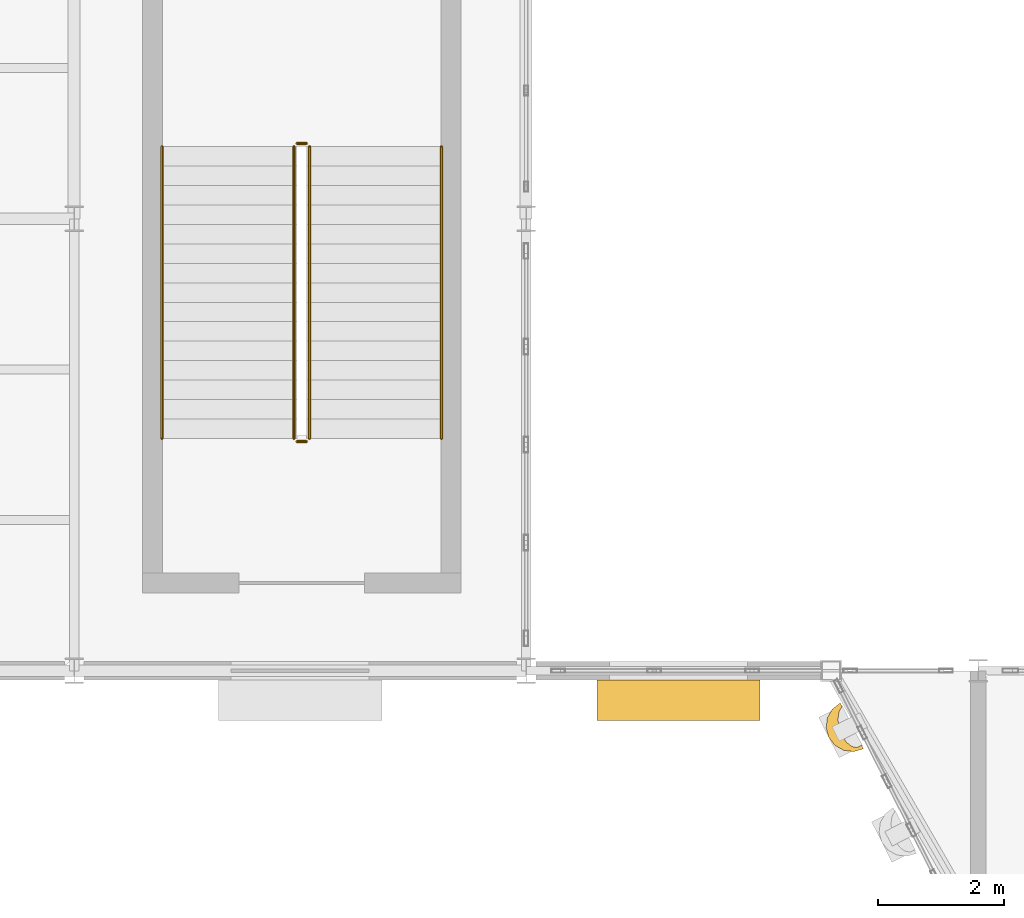
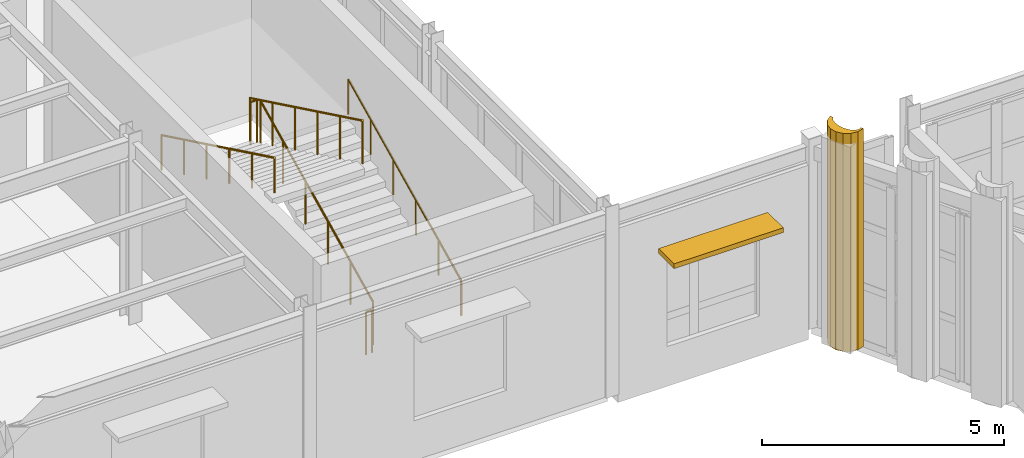
# One storey, part 116 of 126: 6 railings, 1 covering, 1 shading device.
"""IFC4 building model written with IfcOpenShell, lengths in metres."""

import ifcopenshell
import ifcopenshell.guid

model = None  # the IFC model being written
_history = None  # IfcOwnerHistory: only IFC2X3 demands one
_inside = {}  # id of a spatial element -> (the spatial element, [elements in it])
_under = {}  # id of a project, library or spatial element -> (it, [spatial elements below it])
_declared = {}  # id of a project -> (the project, [libraries it declares])
_typed = {}  # id of a type object -> (the type object, [elements of that type])
_made_of = {}  # id of a material, layer set ... -> (it, [elements and type objects made of it])


def new_model(schema):
    """Start an empty IFC model of exactly this schema.

    Asked for "IFC4X3", IfcOpenShell would pick the latest addendum, in which some entities
    have other attributes; the version numbers below select the first issue.
    IFC2X3 requires an IfcOwnerHistory on every rooted entity: one is made here for all.
    """
    global model, _history
    if schema == "IFC4X3":
        model = ifcopenshell.file(schema_version=(4, 3, 0, 0))
    else:
        model = ifcopenshell.file(schema=schema)
    _inside.clear()
    _under.clear()
    _declared.clear()
    _typed.clear()
    _made_of.clear()
    _history = None
    if model.schema == "IFC2X3":
        org = make("IfcOrganization", Name="unknown")
        user = make(
            "IfcPersonAndOrganization",
            ThePerson=make("IfcPerson", FamilyName="unknown"),
            TheOrganization=org,
        )
        app = make(
            "IfcApplication",
            ApplicationDeveloper=org,
            Version="unknown",
            ApplicationFullName="unknown",
            ApplicationIdentifier="unknown",
        )
        _history = make(
            "IfcOwnerHistory",
            OwningUser=user,
            OwningApplication=app,
            ChangeAction="ADDED",
            CreationDate=0,
        )
    return model


def make(cls, **values):
    """One entity of the class cls with the attributes given. An attribute that is None is left unset."""
    return model.create_entity(
        cls, **{name: value for name, value in values.items() if value is not None}
    )


def rooted(cls, **values):
    """An entity with a GlobalId (a new one), such as an element, a storey or a relation."""
    return make(cls, GlobalId=ifcopenshell.guid.new(), OwnerHistory=_history, **values)


def si_unit(unit_type, name, prefix=None):
    """IfcSIUnit, for example si_unit("LENGTHUNIT", "METRE", prefix="MILLI")."""
    return make("IfcSIUnit", UnitType=unit_type, Prefix=prefix, Name=name)


def assignment(units):
    """IfcUnitAssignment: the units of a project."""
    return None if units is None else make("IfcUnitAssignment", Units=units)


def point(xyz):
    """IfcCartesianPoint."""
    return None if xyz is None else make("IfcCartesianPoint", Coordinates=xyz)


def direction(xyz):
    """IfcDirection."""
    return None if xyz is None else make("IfcDirection", DirectionRatios=xyz)


def frame(location, z_axis=None, x_axis=None):
    """IfcAxis2Placement3D, a coordinate frame: its origin and axes. An axis left out is left unset."""
    return make(
        "IfcAxis2Placement3D",
        Location=point(location),
        Axis=direction(z_axis),
        RefDirection=direction(x_axis),
    )


def frame_2d(location, x_axis=None):
    """IfcAxis2Placement2D, a coordinate frame in the plane: its origin and x axis."""
    return make(
        "IfcAxis2Placement2D", Location=point(location), RefDirection=direction(x_axis)
    )


def origin():
    """The frame at (0, 0, 0) with its axes left unset."""
    return frame((0.0, 0.0, 0.0))


def origin_2d():
    """The frame at (0, 0) in the plane with its x axis left unset."""
    return frame_2d((0.0, 0.0))


def place(relative_to, where):
    """IfcLocalPlacement: puts the frame where relative to a parent placement (None: the world)."""
    return make(
        "IfcLocalPlacement", PlacementRelTo=relative_to, RelativePlacement=where
    )


def context(
    kind, dimensions, precision=None, world=None, true_north=None, identifier=None
):
    """IfcGeometricRepresentationContext, for example the 3D "Model" context."""
    return make(
        "IfcGeometricRepresentationContext",
        ContextIdentifier=identifier,
        ContextType=kind,
        CoordinateSpaceDimension=dimensions,
        Precision=precision,
        WorldCoordinateSystem=world,
        TrueNorth=true_north,
    )


def subcontext(parent, identifier, kind, view, scale=None):
    """IfcGeometricRepresentationSubContext, for example "Body" below "Model"."""
    return make(
        "IfcGeometricRepresentationSubContext",
        ContextIdentifier=identifier,
        ContextType=kind,
        ParentContext=parent,
        TargetScale=scale,
        TargetView=view,
    )


def project(units=None, contexts=None):
    """IfcProject with its units and contexts."""
    return rooted(
        "IfcProject",
        Name="project",
        RepresentationContexts=contexts,
        UnitsInContext=assignment(units),
    )


def spatial(cls, under=None, at=None, **own):
    """A site, building, storey or space (cls), placed at a placement, below another one or the project."""
    s = rooted(cls, ObjectPlacement=at, **own)
    if under is not None:
        _under.setdefault(under.id(), (under, []))[1].append(s)
    return s


def polyline(points):
    """IfcPolyline through the points."""
    return make("IfcPolyline", Points=[point(p) for p in points])


def profile(cls, at=None, kind="AREA", **sizes):
    """A parametric profile (cls). Its sizes go by their IFC names, for example OverallWidth=200.0."""
    return make(cls, ProfileType=kind, Position=at, **sizes)


def rectangle(**sizes):
    """IfcRectangleProfileDef."""
    return profile("IfcRectangleProfileDef", **sizes)


def circle(**sizes):
    """IfcCircleProfileDef."""
    return profile("IfcCircleProfileDef", **sizes)


def outline(outer, holes=None, kind="AREA"):
    """IfcArbitraryClosedProfileDef: a profile drawn as a closed curve; with holes, ...WithVoids."""
    if holes is None:
        return make("IfcArbitraryClosedProfileDef", ProfileType=kind, OuterCurve=outer)
    return make(
        "IfcArbitraryProfileDefWithVoids",
        ProfileType=kind,
        OuterCurve=outer,
        InnerCurves=holes,
    )


def extrude(swept, where, along, depth):
    """IfcExtrudedAreaSolid: the profile swept, set in the frame where, extruded along a direction by depth."""
    return make(
        "IfcExtrudedAreaSolid",
        SweptArea=swept,
        Position=where,
        ExtrudedDirection=direction(along),
        Depth=depth,
    )


def shape(context_of_items, identifier, shape_type, items):
    """IfcShapeRepresentation: the items that make up one representation, for example the "Body"."""
    return make(
        "IfcShapeRepresentation",
        ContextOfItems=context_of_items,
        RepresentationIdentifier=identifier,
        RepresentationType=shape_type,
        Items=items,
    )


def material(Name=None, Category=None):
    """IfcMaterial."""
    return make("IfcMaterial", Name=Name, Category=Category)


def layer(
    of_material, thickness, ventilated=None, Name=None, Category=None, Priority=None
):
    """IfcMaterialLayer: one layer of a wall or slab, of a material (None: an air gap)."""
    return make(
        "IfcMaterialLayer",
        Material=of_material,
        LayerThickness=thickness,
        IsVentilated=ventilated,
        Name=Name,
        Category=Category,
        Priority=Priority,
    )


def layer_set(layers, Name=None):
    """IfcMaterialLayerSet."""
    return make("IfcMaterialLayerSet", MaterialLayers=layers, LayerSetName=Name)


def made_of(thing, what):
    """Note that an element or type object is made of a material, layer set ...; save() writes the relation."""
    if what is not None:
        _made_of.setdefault(what.id(), (what, []))[1].append(thing)
    return thing


def type_object(cls, material=None, **own):
    """A type object (cls), such as IfcWallType, which elements share."""
    return made_of(rooted(cls, **own), material)


def element(
    cls,
    number,
    at=None,
    inside=None,
    cuts=None,
    type_object=None,
    material=None,
    context=None,
    identifier="Body",
    shape_type=None,
    held_by="IfcProductDefinitionShape",
    body=None,
    shapes=None,
    **own,
):
    """One element of the class cls, such as IfcWall. Its Tag is "e" and its number.

    at: its placement. inside: the storey or other place that contains it. cuts: it is an
    opening in that element (IfcRelVoidsElement). A single representation is given by context,
    identifier, shape_type and body (its items); several are given by shapes. held_by: the class
    of the entity that holds the representations. save() writes the other relations.
    """
    e = rooted(cls, Tag="e%d" % number, ObjectPlacement=at, **own)
    if body is not None:
        shapes = [shape(context, identifier, shape_type, body)]
    if shapes is not None:
        e.Representation = make(held_by, Representations=shapes)
    if inside is not None:
        _inside.setdefault(inside.id(), (inside, []))[1].append(e)
    if cuts is not None:
        rooted(
            "IfcRelVoidsElement", RelatingBuildingElement=cuts, RelatedOpeningElement=e
        )
    if type_object is not None:
        _typed.setdefault(type_object.id(), (type_object, []))[1].append(e)
    return made_of(e, material)


def aggregate(whole, parts):
    """IfcRelAggregates: a whole, such as a stair, and the parts it consists of."""
    return rooted("IfcRelAggregates", RelatingObject=whole, RelatedObjects=parts)


def save(model, path):
    """Write the relations noted so far, then the file.

    IfcRelAggregates (storeys below a building ...), IfcRelContainedInSpatialStructure (elements
    in a storey), IfcRelDefinesByType, IfcRelAssociatesMaterial and IfcRelDeclares: one each for
    every whole, place, type object, material and project.
    """
    for whole, parts in _under.values():
        aggregate(whole, parts)
    for where, things in _inside.values():
        rooted(
            "IfcRelContainedInSpatialStructure",
            RelatedElements=things,
            RelatingStructure=where,
        )
    for kind, things in _typed.values():
        rooted("IfcRelDefinesByType", RelatedObjects=things, RelatingType=kind)
    for what, things in _made_of.values():
        rooted("IfcRelAssociatesMaterial", RelatedObjects=things, RelatingMaterial=what)
    for by, libraries in _declared.values():
        rooted("IfcRelDeclares", RelatingContext=by, RelatedDefinitions=libraries)
    model.write(path)


model = new_model("IFC4")

# Units and contexts
model_context = context("Model", 3, precision=1e-05, world=origin(), true_north=direction((0.0, 1.0)))
body_context = subcontext(model_context, "Body", "Model", "MODEL_VIEW")
ifc_project = project(units=[si_unit("LENGTHUNIT", "METRE"), si_unit("AREAUNIT", "SQUARE_METRE"), si_unit("VOLUMEUNIT", "CUBIC_METRE"), si_unit("PLANEANGLEUNIT", "RADIAN"), si_unit("MASSUNIT", "GRAM", prefix="KILO")], contexts=[model_context])

# Site, building, storey
site_placement = place(None, origin())
site = spatial("IfcSite", under=ifc_project, at=site_placement, CompositionType="ELEMENT")
building_placement = place(site_placement, origin())
building = spatial("IfcBuilding", under=site, at=building_placement, Name="Solvadek Multi-Sports Hall", CompositionType="ELEMENT")
storey_placement = place(building_placement, frame((0.0, 0.0, 9.60009765625)))
storey = spatial("IfcBuildingStorey", under=building, at=storey_placement, Name="L02", CompositionType="ELEMENT", Elevation=9.60009765625)

# Covering
ifc_material_1 = material(Name="Perforated champagne-bronze anodised aluminium", Category="aluminium")
ifc_layer = layer(ifc_material_1, 0.06494140625, Name="Perforated champagne-bronze anodised aluminium")
ifc_layer_set = layer_set([ifc_layer], Name="Perforated champagne-bronze anodised aluminium")
covering_type = type_object("IfcCoveringType", Name="ENV-COV-FLUTED", PredefinedType="CLADDING", material=ifc_layer_set)
covering_placement = place(storey_placement, frame((0.0, 0.0, 0.010009765625)))
element("IfcCovering", 1, at=covering_placement, inside=storey, type_object=covering_type, Name="L02 Perforated Bronze Half-Cylinder Fluted Shell #3", PredefinedType="CLADDING", context=body_context, shape_type="SweptSolid", body=[
    extrude(outline(polyline([(26.97216796875, 19.155517578125), (26.818115234375, 19.112548828125), (26.6591796875, 19.1318359375), (26.52001953125, 19.21044921875), (26.42138671875, 19.336181640625), (26.37841796875, 19.490478515625), (26.3974609375, 19.649169921875), (26.47607421875, 19.78857421875), (26.60205078125, 19.88720703125), (26.63134765625, 19.829345703125), (26.58349609375, 19.74609375), (26.56689453125, 19.62890625), (26.58349609375, 19.495361328125), (26.63134765625, 19.36572265625), (26.702880859375, 19.259765625), (26.787109375, 19.193603515625), (26.871337890625, 19.177490234375), (26.94287109375, 19.213623046875), (26.97216796875, 19.155517578125)])), origin(), (0.0, 0.0, 1.0), 5.489990234375),
])

# Shading device
shading_device_type = type_object("IfcShadingDeviceType", Name="ENV-SHD-CHAJJA1", PredefinedType="JALOUSIE", material=ifc_material_1)
shading_device_placement = place(storey_placement, frame((24.02734375, 19.930419921875, 3.179931640625), z_axis=(0.0, 0.0, 1.0), x_axis=(1.0, 0.0, 0.0)))
element("IfcShadingDevice", 2, at=shading_device_placement, inside=storey, type_object=shading_device_type, Name="L02 Chajja Solar Shading Hood #55", PredefinedType="JALOUSIE", context=body_context, shape_type="SweptSolid", body=[
    extrude(rectangle(XDim=2.60009765625, YDim=0.639892578125, at=origin_2d()), origin(), (0.0, 0.0, 1.0), 0.1201171875),
])

# Railings
ifc_material_2 = material(Name="Steel E250 (250 MPa)", Category="steel")
railing_type_1 = type_object("IfcRailingType", Name="INT-RAL-GRD115", PredefinedType="BALUSTRADE", material=ifc_material_2)
railing_1_placement = place(storey_placement, frame((18.14990234375, 24.10009765625, 0.14990234375)))
element("IfcRailing", 3, at=railing_1_placement, inside=storey, type_object=railing_type_1, Name="L02 ST-01 stair guard 1", PredefinedType="BALUSTRADE", context=body_context, shape_type="SweptSolid", body=[
    extrude(circle(Radius=0.02392578125, at=origin_2d()), frame((0.0, 0.0, 1.076171875), z_axis=(0.0, 0.900155664878, 0.435568340204), x_axis=(-1.0, 0.0, 0.0)), (0.0, 0.0, 1.0), 5.165771484375),
    extrude(circle(Radius=0.02099609375, at=origin_2d()), origin(), (0.0, 0.0, 1.0), 1.052001953125),
    extrude(circle(Radius=0.02099609375, at=origin_2d()), frame((0.0, 0.929931640625, 0.449951171875)), (0.0, 0.0, 1.0), 1.052001953125),
    extrude(circle(Radius=0.02099609375, at=origin_2d()), frame((0.0, 1.85986328125, 0.89990234375)), (0.0, 0.0, 1.0), 1.052001953125),
    extrude(circle(Radius=0.02099609375, at=origin_2d()), frame((0.0, 2.7900390625, 1.35009765625)), (0.0, 0.0, 1.0), 1.052001953125),
    extrude(circle(Radius=0.02099609375, at=origin_2d()), frame((0.0, 3.719970703125, 1.800048828125)), (0.0, 0.0, 1.0), 1.052001953125),
    extrude(circle(Radius=0.02099609375, at=origin_2d()), frame((0.0, 4.64990234375, 2.25)), (0.0, 0.0, 1.0), 1.052001953125),
])
railing_2_placement = place(storey_placement, frame((18.10009765625, 28.800048828125, 2.39990234375)))
element("IfcRailing", 4, at=railing_2_placement, inside=storey, type_object=railing_type_1, Name="L02 ST-01 stair guard 2", PredefinedType="BALUSTRADE", context=body_context, shape_type="SweptSolid", body=[
    extrude(circle(Radius=0.02392578125, at=origin_2d()), frame((0.0, 0.0, 1.076171875), z_axis=(-1.0, 0.0, 0.0), x_axis=(0.0, -1.0, 0.0)), (0.0, 0.0, 1.0), 0.150146484375),
    extrude(circle(Radius=0.02099609375, at=origin_2d()), origin(), (0.0, 0.0, 1.0), 1.052001953125),
    extrude(circle(Radius=0.02099609375, at=origin_2d()), frame((-0.150146484375, 0.0, 0.0)), (0.0, 0.0, 1.0), 1.052001953125),
])
railing_3_placement = place(storey_placement, frame((17.89990234375, 28.75, 2.5498046875)))
element("IfcRailing", 5, at=railing_3_placement, inside=storey, type_object=railing_type_1, Name="L02 ST-01 stair guard 3", PredefinedType="BALUSTRADE", context=body_context, shape_type="SweptSolid", body=[
    extrude(circle(Radius=0.02392578125, at=origin_2d()), frame((0.0, 0.0, 1.076171875), z_axis=(0.0, -0.900155664878, 0.435568340204), x_axis=(1.0, 0.0, 0.0)), (0.0, 0.0, 1.0), 5.165771484375),
    extrude(circle(Radius=0.02099609375, at=origin_2d()), origin(), (0.0, 0.0, 1.0), 1.052001953125),
    extrude(circle(Radius=0.02099609375, at=origin_2d()), frame((0.0, -0.929931640625, 0.449951171875)), (0.0, 0.0, 1.0), 1.052001953125),
    extrude(circle(Radius=0.02099609375, at=origin_2d()), frame((0.0, -1.85986328125, 0.89990234375)), (0.0, 0.0, 1.0), 1.052001953125),
    extrude(circle(Radius=0.02099609375, at=origin_2d()), frame((0.0, -2.7900390625, 1.35009765625)), (0.0, 0.0, 1.0), 1.052001953125),
    extrude(circle(Radius=0.02099609375, at=origin_2d()), frame((0.0, -3.719970703125, 1.800048828125)), (0.0, 0.0, 1.0), 1.052001953125),
    extrude(circle(Radius=0.02099609375, at=origin_2d()), frame((0.0, -4.64990234375, 2.25)), (0.0, 0.0, 1.0), 1.052001953125),
])
railing_4_placement = place(storey_placement, frame((18.10009765625, 24.050048828125, 0.0)))
element("IfcRailing", 6, at=railing_4_placement, inside=storey, type_object=railing_type_1, Name="L02 ST-01 stair guard 4", PredefinedType="BALUSTRADE", context=body_context, shape_type="SweptSolid", body=[
    extrude(circle(Radius=0.02392578125, at=origin_2d()), frame((0.0, 0.0, 1.076171875), z_axis=(-1.0, 0.0, 0.0), x_axis=(0.0, -1.0, 0.0)), (0.0, 0.0, 1.0), 0.150146484375),
    extrude(circle(Radius=0.02099609375, at=origin_2d()), origin(), (0.0, 0.0, 1.0), 1.052001953125),
    extrude(circle(Radius=0.02099609375, at=origin_2d()), frame((-0.150146484375, 0.0, 0.0)), (0.0, 0.0, 1.0), 1.052001953125),
])
railing_type_2 = type_object("IfcRailingType", Name="INT-RAL-HND090", PredefinedType="HANDRAIL", material=ifc_material_2)
railing_5_placement = place(storey_placement, frame((20.25, 24.10009765625, 0.14990234375)))
element("IfcRailing", 7, at=railing_5_placement, inside=storey, type_object=railing_type_2, Name="L02 ST-01 stair handrail 1", PredefinedType="HANDRAIL", context=body_context, shape_type="SweptSolid", body=[
    extrude(circle(Radius=0.02392578125, at=origin_2d()), frame((0.0, 0.0, 0.8759765625), z_axis=(0.0, 0.900155664878, 0.435568340204), x_axis=(-1.0, 0.0, 0.0)), (0.0, 0.0, 1.0), 5.165771484375),
    extrude(circle(Radius=0.02099609375, at=origin_2d()), origin(), (0.0, 0.0, 1.0), 0.851806640625),
    extrude(circle(Radius=0.02099609375, at=origin_2d()), frame((0.0, 0.929931640625, 0.449951171875)), (0.0, 0.0, 1.0), 0.851806640625),
    extrude(circle(Radius=0.02099609375, at=origin_2d()), frame((0.0, 1.85986328125, 0.89990234375)), (0.0, 0.0, 1.0), 0.851806640625),
    extrude(circle(Radius=0.02099609375, at=origin_2d()), frame((0.0, 2.7900390625, 1.35009765625)), (0.0, 0.0, 1.0), 0.851806640625),
    extrude(circle(Radius=0.02099609375, at=origin_2d()), frame((0.0, 3.719970703125, 1.800048828125)), (0.0, 0.0, 1.0), 0.851806640625),
    extrude(circle(Radius=0.02099609375, at=origin_2d()), frame((0.0, 4.64990234375, 2.25)), (0.0, 0.0, 1.0), 0.851806640625),
])
railing_6_placement = place(storey_placement, frame((15.800048828125, 28.75, 2.5498046875)))
element("IfcRailing", 8, at=railing_6_placement, inside=storey, type_object=railing_type_2, Name="L02 ST-01 stair handrail 2", PredefinedType="HANDRAIL", context=body_context, shape_type="SweptSolid", body=[
    extrude(circle(Radius=0.02392578125, at=origin_2d()), frame((0.0, 0.0, 0.8759765625), z_axis=(0.0, -0.900155664878, 0.435568340204), x_axis=(1.0, 0.0, 0.0)), (0.0, 0.0, 1.0), 5.165771484375),
    extrude(circle(Radius=0.02099609375, at=origin_2d()), origin(), (0.0, 0.0, 1.0), 0.851806640625),
    extrude(circle(Radius=0.02099609375, at=origin_2d()), frame((0.0, -0.929931640625, 0.449951171875)), (0.0, 0.0, 1.0), 0.851806640625),
    extrude(circle(Radius=0.02099609375, at=origin_2d()), frame((0.0, -1.85986328125, 0.89990234375)), (0.0, 0.0, 1.0), 0.851806640625),
    extrude(circle(Radius=0.02099609375, at=origin_2d()), frame((0.0, -2.7900390625, 1.35009765625)), (0.0, 0.0, 1.0), 0.851806640625),
    extrude(circle(Radius=0.02099609375, at=origin_2d()), frame((0.0, -3.719970703125, 1.800048828125)), (0.0, 0.0, 1.0), 0.851806640625),
    extrude(circle(Radius=0.02099609375, at=origin_2d()), frame((0.0, -4.64990234375, 2.25)), (0.0, 0.0, 1.0), 0.851806640625),
])

save(model, "model.ifc")
